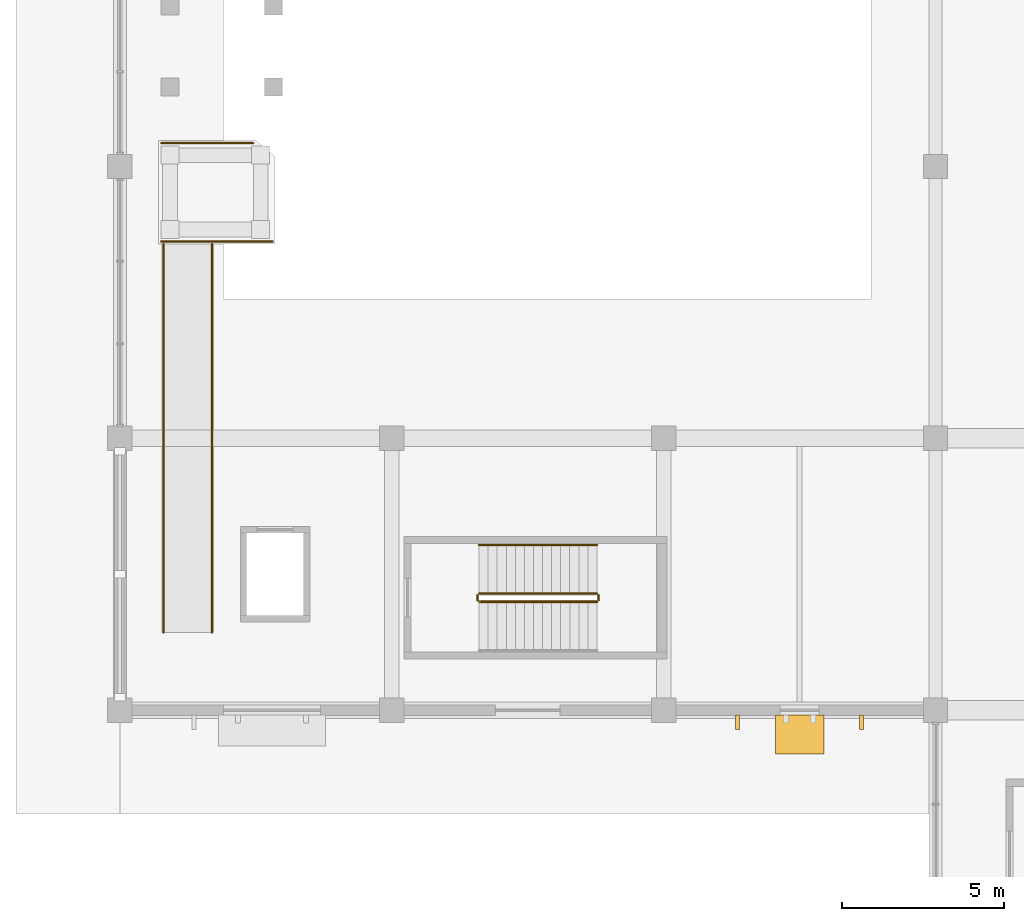
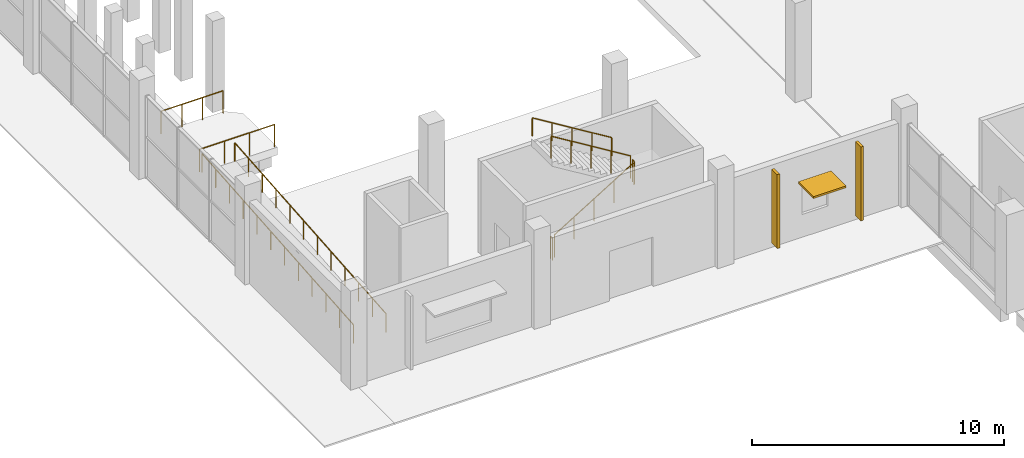
# One storey, part 112 of 130: 9 railings, 3 shading devices.
"""IFC4 building model written with IfcOpenShell, lengths in metres."""

from ifc_helpers import new_model, si_unit, direction, frame, origin, origin_2d, place, context, subcontext, project, spatial, rectangle, circle, extrude, material, layer, layer_set, type_object, element, save


model = new_model("IFC4")

# Units and contexts
model_context = context("Model", 3, precision=1e-05, world=origin(), true_north=direction((0.0, 1.0)))
body_context = subcontext(model_context, "Body", "Model", "MODEL_VIEW")
ifc_project = project(units=[si_unit("LENGTHUNIT", "METRE"), si_unit("AREAUNIT", "SQUARE_METRE"), si_unit("VOLUMEUNIT", "CUBIC_METRE"), si_unit("PLANEANGLEUNIT", "RADIAN"), si_unit("MASSUNIT", "GRAM", prefix="KILO"), si_unit("THERMODYNAMICTEMPERATUREUNIT", "KELVIN")], contexts=[model_context])

# Site, building, storey
site_placement = place(None, origin())
site = spatial("IfcSite", under=ifc_project, at=site_placement, CompositionType="ELEMENT")
building_placement = place(site_placement, origin())
building = spatial("IfcBuilding", under=site, at=building_placement, Name="Nduvali Passage Aquatics Centre", CompositionType="ELEMENT")
storey_placement = place(building_placement, origin())
storey = spatial("IfcBuildingStorey", under=building, at=storey_placement, Name="L00", CompositionType="ELEMENT", Elevation=0.0)

# Shading devices
ifc_material_1 = material(Name="Glulam GL28h", Category="wood")
shading_device_type_1 = type_object("IfcShadingDeviceType", Name="ENV-SHD-FIN1", PredefinedType="USERDEFINED", material=ifc_material_1)
for number, where, z_axis, x_axis, name in (
    (1, (19.08740234375, 33.22509765625, 0.2001953125), (0.0, 0.0, 1.0), (1.0, 0.0, 0.0), "L00 Vertical Glulam Facade Fin 0062"),
    (2, (22.91259765625, 33.22509765625, 0.2001953125), (0.0, 0.0, 1.0), (1.0, 0.0, 0.0), "L00 Vertical Glulam Facade Fin 0063"),
):
    element("IfcShadingDevice", number, at=place(storey_placement, frame(where, z_axis=z_axis, x_axis=x_axis)), inside=storey, type_object=shading_device_type_1, Name=name, ObjectType="VERTICAL FIN", PredefinedType="USERDEFINED", context=body_context, shape_type="SweptSolid", body=[
        extrude(rectangle(XDim=0.1201171875, YDim=0.43994140625, at=origin_2d()), origin(), (0.0, 0.0, 1.0), 3.576416015625),
    ])
ifc_material_2 = material(Name="Aluminium EN AW-6063 T6", Category="aluminium")
ifc_layer = layer(ifc_material_2, 0.090087890625, Name="Aluminium EN AW-6063 T6")
ifc_layer_set = layer_set([ifc_layer], Name="Aluminium EN AW-6063 T6")
shading_device_type_2 = type_object("IfcShadingDeviceType", Name="ENV-SHD-SUN1", PredefinedType="AWNING", material=ifc_layer_set)
shading_device_placement = place(storey_placement, frame((21.0, 32.85009765625, 2.65478515625), z_axis=(0.0, 0.0, 1.0), x_axis=(1.0, 0.0, 0.0)))
element("IfcShadingDevice", 3, at=shading_device_placement, inside=storey, type_object=shading_device_type_2, Name="L00 Horizontal Monsoon Sunshade 0061", PredefinedType="AWNING", context=body_context, shape_type="SweptSolid", body=[
    extrude(rectangle(XDim=1.5, YDim=1.199951171875, at=origin_2d()), origin(), (0.0, 0.0, 1.0), 0.090087890625),
])

# Railings
ifc_material_3 = material(Name="Stainless steel balustrade", Category="steel")
railing_type_1 = type_object("IfcRailingType", Name="INT-RLG-GRD110", PredefinedType="GUARDRAIL", material=ifc_material_3)
railing_1_placement = place(storey_placement, frame((11.10009765625, 36.949951171875, 0.17138671875)))
element("IfcRailing", 4, at=railing_1_placement, inside=storey, type_object=railing_type_1, Name="L00 ST9 stair guard 1", PredefinedType="GUARDRAIL", context=body_context, shape_type="SweptSolid", body=[
    extrude(circle(Radius=0.02392578125, at=origin_2d()), frame((0.0, 0.0, 1.076171875), z_axis=(0.852850264322, 0.0, 0.5221555579), x_axis=(0.0, 1.0, 0.0)), (0.0, 0.0, 1.0), 4.267822265625),
    extrude(circle(Radius=0.02099609375, at=origin_2d()), origin(), (0.0, 0.0, 1.0), 1.052001953125),
    extrude(circle(Radius=0.02099609375, at=origin_2d()), frame((0.909912109375, 0.0, 0.55712890625)), (0.0, 0.0, 1.0), 1.052001953125),
    extrude(circle(Radius=0.02099609375, at=origin_2d()), frame((1.81982421875, 0.0, 1.1142578125)), (0.0, 0.0, 1.0), 1.052001953125),
    extrude(circle(Radius=0.02099609375, at=origin_2d()), frame((2.72998046875, 0.0, 1.67138671875)), (0.0, 0.0, 1.0), 1.052001953125),
    extrude(circle(Radius=0.02099609375, at=origin_2d()), frame((3.639892578125, 0.0, 2.228515625)), (0.0, 0.0, 1.0), 1.052001953125),
])
railing_2_placement = place(storey_placement, frame((14.7900390625, 37.0, 2.39990234375)))
element("IfcRailing", 5, at=railing_2_placement, inside=storey, type_object=railing_type_1, Name="L00 ST9 stair guard 2", PredefinedType="GUARDRAIL", context=body_context, shape_type="SweptSolid", body=[
    extrude(circle(Radius=0.02392578125, at=origin_2d()), frame((0.0, 0.0, 1.076171875), z_axis=(0.0, 1.0, 0.0), x_axis=(-1.0, 0.0, 0.0)), (0.0, 0.0, 1.0), 0.14990234375),
    extrude(circle(Radius=0.02099609375, at=origin_2d()), origin(), (0.0, 0.0, 1.0), 1.052001953125),
    extrude(circle(Radius=0.02099609375, at=origin_2d()), frame((0.0, 0.14990234375, 0.0)), (0.0, 0.0, 1.0), 1.052001953125),
])
railing_3_placement = place(storey_placement, frame((14.739990234375, 37.199951171875, 2.571533203125)))
element("IfcRailing", 6, at=railing_3_placement, inside=storey, type_object=railing_type_1, Name="L00 ST9 stair guard 3", PredefinedType="GUARDRAIL", context=body_context, shape_type="SweptSolid", body=[
    extrude(circle(Radius=0.02392578125, at=origin_2d()), frame((0.0, 0.0, 1.076171875), z_axis=(-0.852850264322, 0.0, 0.5221555579), x_axis=(0.0, -1.0, 0.0)), (0.0, 0.0, 1.0), 4.267822265625),
    extrude(circle(Radius=0.02099609375, at=origin_2d()), origin(), (0.0, 0.0, 1.0), 1.052001953125),
    extrude(circle(Radius=0.02099609375, at=origin_2d()), frame((-0.909912109375, 0.0, 0.55712890625)), (0.0, 0.0, 1.0), 1.052001953125),
    extrude(circle(Radius=0.02099609375, at=origin_2d()), frame((-1.81982421875, 0.0, 1.1142578125)), (0.0, 0.0, 1.0), 1.052001953125),
    extrude(circle(Radius=0.02099609375, at=origin_2d()), frame((-2.72998046875, 0.0, 1.67138671875)), (0.0, 0.0, 1.0), 1.052001953125),
    extrude(circle(Radius=0.02099609375, at=origin_2d()), frame((-3.639892578125, 0.0, 2.228515625)), (0.0, 0.0, 1.0), 1.052001953125),
])
railing_4_placement = place(storey_placement, frame((11.050048828125, 37.0, 0.0)))
element("IfcRailing", 7, at=railing_4_placement, inside=storey, type_object=railing_type_1, Name="L00 ST9 stair guard 4", PredefinedType="GUARDRAIL", context=body_context, shape_type="SweptSolid", body=[
    extrude(circle(Radius=0.02392578125, at=origin_2d()), frame((0.0, 0.0, 1.076171875), z_axis=(0.0, 1.0, 0.0), x_axis=(-1.0, 0.0, 0.0)), (0.0, 0.0, 1.0), 0.14990234375),
    extrude(circle(Radius=0.02099609375, at=origin_2d()), origin(), (0.0, 0.0, 1.0), 1.052001953125),
    extrude(circle(Radius=0.02099609375, at=origin_2d()), frame((0.0, 0.14990234375, 0.0)), (0.0, 0.0, 1.0), 1.052001953125),
])
railing_5_placement = place(storey_placement, frame((1.280029296875, 48.080078125, 1.0)))
element("IfcRailing", 8, at=railing_5_placement, inside=storey, type_object=railing_type_1, Name="Diving 1m Platform South Guard", PredefinedType="GUARDRAIL", context=body_context, shape_type="SweptSolid", body=[
    extrude(circle(Radius=0.02392578125, at=origin_2d()), frame((0.0, 0.0, 1.076171875), z_axis=(1.0, 0.0, 0.0), x_axis=(0.0, 1.0, 0.0)), (0.0, 0.0, 1.0), 3.43994140625),
    extrude(circle(Radius=0.02099609375, at=origin_2d()), origin(), (0.0, 0.0, 1.0), 1.052001953125),
    extrude(circle(Radius=0.02099609375, at=origin_2d()), frame((1.146728515625, 0.0, 0.0)), (0.0, 0.0, 1.0), 1.052001953125),
    extrude(circle(Radius=0.02099609375, at=origin_2d()), frame((2.293212890625, 0.0, 0.0)), (0.0, 0.0, 1.0), 1.052001953125),
    extrude(circle(Radius=0.02099609375, at=origin_2d()), frame((3.43994140625, 0.0, 0.0)), (0.0, 0.0, 1.0), 1.052001953125),
])
railing_6_placement = place(storey_placement, frame((1.280029296875, 51.1201171875, 1.0)))
element("IfcRailing", 9, at=railing_6_placement, inside=storey, type_object=railing_type_1, Name="Diving 1m Platform North Guard", PredefinedType="GUARDRAIL", context=body_context, shape_type="SweptSolid", body=[
    extrude(circle(Radius=0.02392578125, at=origin_2d()), frame((0.0, 0.0, 1.076171875), z_axis=(1.0, 0.0, 0.0), x_axis=(0.0, 1.0, 0.0)), (0.0, 0.0, 1.0), 2.840087890625),
    extrude(circle(Radius=0.02099609375, at=origin_2d()), origin(), (0.0, 0.0, 1.0), 1.052001953125),
    extrude(circle(Radius=0.02099609375, at=origin_2d()), frame((0.94677734375, 0.0, 0.0)), (0.0, 0.0, 1.0), 1.052001953125),
    extrude(circle(Radius=0.02099609375, at=origin_2d()), frame((1.893310546875, 0.0, 0.0)), (0.0, 0.0, 1.0), 1.052001953125),
    extrude(circle(Radius=0.02099609375, at=origin_2d()), frame((2.840087890625, 0.0, 0.0)), (0.0, 0.0, 1.0), 1.052001953125),
])
railing_type_2 = type_object("IfcRailingType", Name="INT-RLG-HND90", PredefinedType="HANDRAIL", material=ifc_material_3)
railing_7_placement = place(storey_placement, frame((14.739990234375, 38.699951171875, 2.746337890625)))
element("IfcRailing", 10, at=railing_7_placement, inside=storey, type_object=railing_type_2, Name="L00 ST9 stair handrail 2", PredefinedType="HANDRAIL", context=body_context, shape_type="SweptSolid", body=[
    extrude(circle(Radius=0.02392578125, at=origin_2d()), frame((0.0, 0.0, 0.8759765625), z_axis=(-0.852850264322, 0.0, 0.5221555579), x_axis=(0.0, -1.0, 0.0)), (0.0, 0.0, 1.0), 4.267822265625),
    extrude(circle(Radius=0.02099609375, at=origin_2d()), origin(), (0.0, 0.0, 1.0), 0.851806640625),
    extrude(circle(Radius=0.02099609375, at=origin_2d()), frame((-0.909912109375, 0.0, 0.55712890625)), (0.0, 0.0, 1.0), 0.851806640625),
    extrude(circle(Radius=0.02099609375, at=origin_2d()), frame((-1.81982421875, 0.0, 1.1142578125)), (0.0, 0.0, 1.0), 0.851806640625),
    extrude(circle(Radius=0.02099609375, at=origin_2d()), frame((-2.72998046875, 0.0, 1.67138671875)), (0.0, 0.0, 1.0), 0.851806640625),
    extrude(circle(Radius=0.02099609375, at=origin_2d()), frame((-3.639892578125, 0.0, 2.228515625)), (0.0, 0.0, 1.0), 0.851806640625),
])
railing_8_placement = place(storey_placement, frame((2.85009765625, 36.0, 0.0)))
element("IfcRailing", 11, at=railing_8_placement, inside=storey, type_object=railing_type_2, Name="Diving 1m Springboard Plinth Accessible Ramp PR6 Handrail 1", PredefinedType="HANDRAIL", context=body_context, shape_type="SweptSolid", body=[
    extrude(circle(Radius=0.02392578125, at=origin_2d()), frame((0.0, 0.0, 0.89599609375), z_axis=(0.0, 0.996545758245, 0.083045479854), x_axis=(-1.0, 0.0, 0.0)), (0.0, 0.0, 1.0), 12.04150390625),
    extrude(circle(Radius=0.02099609375, at=origin_2d()), origin(), (0.0, 0.0, 1.0), 0.871826171875),
    extrude(circle(Radius=0.02099609375, at=origin_2d()), frame((0.0, 1.0908203125, 0.0908203125)), (0.0, 0.0, 1.0), 0.871826171875),
    extrude(circle(Radius=0.02099609375, at=origin_2d()), frame((0.0, 2.181884765625, 0.181884765625)), (0.0, 0.0, 1.0), 0.871826171875),
    extrude(circle(Radius=0.02099609375, at=origin_2d()), frame((0.0, 3.272705078125, 0.272705078125)), (0.0, 0.0, 1.0), 0.871826171875),
    extrude(circle(Radius=0.02099609375, at=origin_2d()), frame((0.0, 4.363525390625, 0.363525390625)), (0.0, 0.0, 1.0), 0.871826171875),
    extrude(circle(Radius=0.02099609375, at=origin_2d()), frame((0.0, 5.45458984375, 0.45458984375)), (0.0, 0.0, 1.0), 0.871826171875),
    extrude(circle(Radius=0.02099609375, at=origin_2d()), frame((0.0, 6.54541015625, 0.54541015625)), (0.0, 0.0, 1.0), 0.871826171875),
    extrude(circle(Radius=0.02099609375, at=origin_2d()), frame((0.0, 7.636474609375, 0.636474609375)), (0.0, 0.0, 1.0), 0.871826171875),
    extrude(circle(Radius=0.02099609375, at=origin_2d()), frame((0.0, 8.727294921875, 0.727294921875)), (0.0, 0.0, 1.0), 0.871826171875),
    extrude(circle(Radius=0.02099609375, at=origin_2d()), frame((0.0, 9.818115234375, 0.818115234375)), (0.0, 0.0, 1.0), 0.871826171875),
    extrude(circle(Radius=0.02099609375, at=origin_2d()), frame((0.0, 10.9091796875, 0.9091796875)), (0.0, 0.0, 1.0), 0.871826171875),
    extrude(circle(Radius=0.02099609375, at=origin_2d()), frame((0.0, 12.0, 1.0)), (0.0, 0.0, 1.0), 0.871826171875),
])
railing_9_placement = place(storey_placement, frame((1.35009765625, 36.0, 0.0)))
element("IfcRailing", 12, at=railing_9_placement, inside=storey, type_object=railing_type_2, Name="Diving 1m Springboard Plinth Accessible Ramp PR6 Handrail 2", PredefinedType="HANDRAIL", context=body_context, shape_type="SweptSolid", body=[
    extrude(circle(Radius=0.02392578125, at=origin_2d()), frame((0.0, 0.0, 0.89599609375), z_axis=(0.0, 0.996545758245, 0.083045479854), x_axis=(-1.0, 0.0, 0.0)), (0.0, 0.0, 1.0), 12.04150390625),
    extrude(circle(Radius=0.02099609375, at=origin_2d()), origin(), (0.0, 0.0, 1.0), 0.871826171875),
    extrude(circle(Radius=0.02099609375, at=origin_2d()), frame((0.0, 1.0908203125, 0.0908203125)), (0.0, 0.0, 1.0), 0.871826171875),
    extrude(circle(Radius=0.02099609375, at=origin_2d()), frame((0.0, 2.181884765625, 0.181884765625)), (0.0, 0.0, 1.0), 0.871826171875),
    extrude(circle(Radius=0.02099609375, at=origin_2d()), frame((0.0, 3.272705078125, 0.272705078125)), (0.0, 0.0, 1.0), 0.871826171875),
    extrude(circle(Radius=0.02099609375, at=origin_2d()), frame((0.0, 4.363525390625, 0.363525390625)), (0.0, 0.0, 1.0), 0.871826171875),
    extrude(circle(Radius=0.02099609375, at=origin_2d()), frame((0.0, 5.45458984375, 0.45458984375)), (0.0, 0.0, 1.0), 0.871826171875),
    extrude(circle(Radius=0.02099609375, at=origin_2d()), frame((0.0, 6.54541015625, 0.54541015625)), (0.0, 0.0, 1.0), 0.871826171875),
    extrude(circle(Radius=0.02099609375, at=origin_2d()), frame((0.0, 7.636474609375, 0.636474609375)), (0.0, 0.0, 1.0), 0.871826171875),
    extrude(circle(Radius=0.02099609375, at=origin_2d()), frame((0.0, 8.727294921875, 0.727294921875)), (0.0, 0.0, 1.0), 0.871826171875),
    extrude(circle(Radius=0.02099609375, at=origin_2d()), frame((0.0, 9.818115234375, 0.818115234375)), (0.0, 0.0, 1.0), 0.871826171875),
    extrude(circle(Radius=0.02099609375, at=origin_2d()), frame((0.0, 10.9091796875, 0.9091796875)), (0.0, 0.0, 1.0), 0.871826171875),
    extrude(circle(Radius=0.02099609375, at=origin_2d()), frame((0.0, 12.0, 1.0)), (0.0, 0.0, 1.0), 0.871826171875),
])

save(model, "model.ifc")
